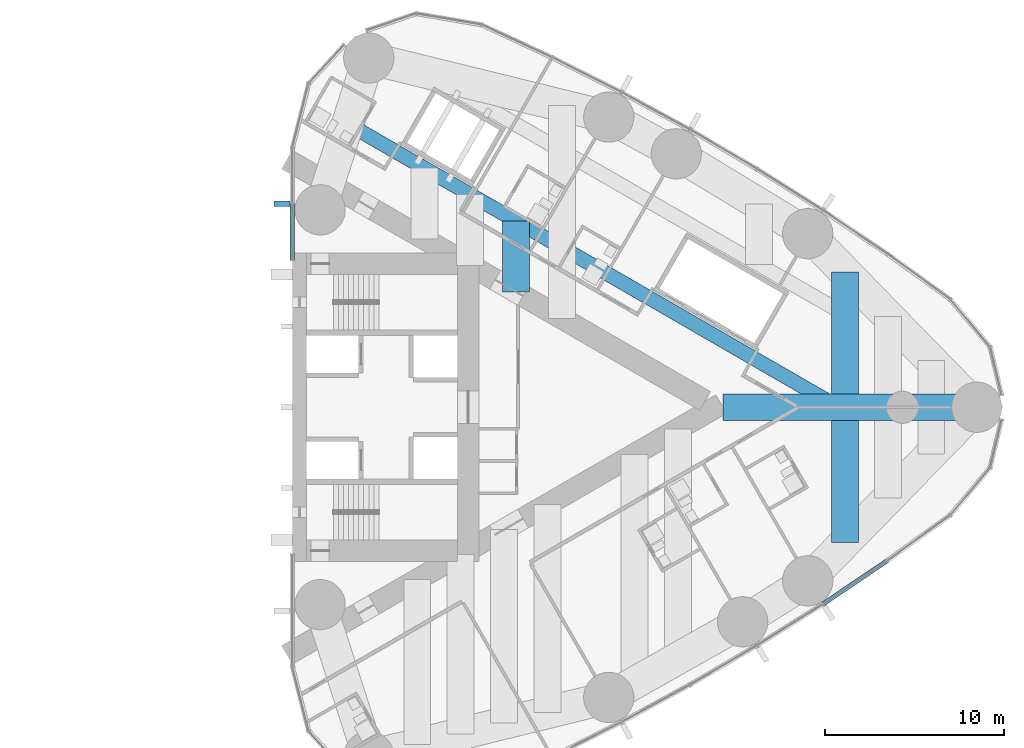
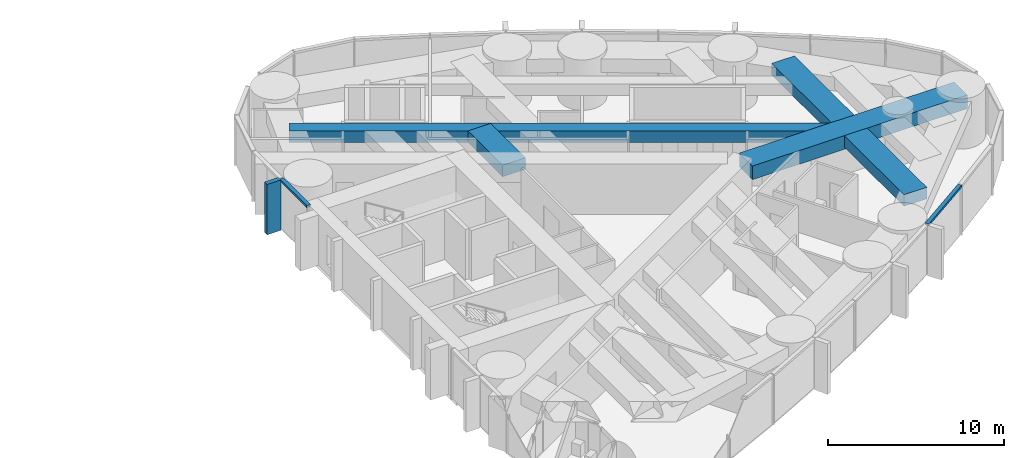
# One storey, part 7 of 19: 5 beams, 3 members, 2 elements without a shape of their own.
"""IFC4 building model written with IfcOpenShell, lengths in metres."""

from ifc_helpers import new_model, si_unit, direction, frame, origin, origin_2d, place, context, subcontext, project, spatial, rectangle, hollow_rectangle, extrude, material, material_profile, profile_set, type_object, element, aggregate, save


model = new_model("IFC4")

# Units and contexts
model_context = context("Model", 3, precision=1e-05, world=origin(), true_north=direction((0.0, 1.0)))
body_context = subcontext(model_context, "Body", "Model", "MODEL_VIEW")
ifc_project = project(units=[si_unit("LENGTHUNIT", "METRE"), si_unit("AREAUNIT", "SQUARE_METRE"), si_unit("VOLUMEUNIT", "CUBIC_METRE"), si_unit("PLANEANGLEUNIT", "RADIAN"), si_unit("MASSUNIT", "GRAM", prefix="KILO")], contexts=[model_context])

# Site, building, storey
site_placement = place(None, origin())
site = spatial("IfcSite", under=ifc_project, at=site_placement, CompositionType="ELEMENT")
building_placement = place(site_placement, origin())
building = spatial("IfcBuilding", under=site, at=building_placement, Name="Lancet Gate Hotel", CompositionType="ELEMENT")
storey_placement = place(building_placement, frame((0.0, 0.0, 159.800048828125)))
storey = spatial("IfcBuildingStorey", under=building, at=storey_placement, Name="L42", CompositionType="ELEMENT", Elevation=159.800048828125)

# Curtain wall, member
ifc_material_1 = material(Name="Aluminium curtain wall", Category="aluminium")
curtain_wall_type = type_object("IfcCurtainWallType", Name="Tower unitised curtain wall", PredefinedType="USERDEFINED", material=ifc_material_1)
curtain_wall_1_placement = place(storey_placement, origin())
curtain_wall_1 = element("IfcCurtainWall", 1, at=curtain_wall_1_placement, inside=storey, type_object=curtain_wall_type, Name="T2 L42 curtain wall 2", ObjectType="UNITISED CURTAIN WALL", PredefinedType="USERDEFINED")
ifc_material_2 = material(Name="Aluminium transom", Category="aluminium")
ifc_material_profile_1 = material_profile(ifc_material_2, rectangle(XDim=0.25, YDim=0.14990234375, at=origin_2d()), Name="TRANSOM 250x150")
ifc_profile_set_1 = profile_set([ifc_material_profile_1], Name="Aluminium transom")
member_type_1 = type_object("IfcMemberType", Name="Aluminium transom 250x150", PredefinedType="USERDEFINED", material=ifc_profile_set_1)
member_1_placement = place(storey_placement, frame((57.093994140625, -10.952880859375, 3.425048828125), z_axis=(0.829046850689, 0.559179147826, 0.0), x_axis=(-0.559179147826, 0.829046850689, 0.0)))
member_1 = element("IfcMember", 2, at=member_1_placement, type_object=member_type_1, Name="T2 L42 curtain wall 2 transom 8", ObjectType="TRANSOM", PredefinedType="USERDEFINED", context=body_context, shape_type="SweptSolid", body=[
    extrude(rectangle(XDim=0.25, YDim=0.14990234375, at=origin_2d()), origin(), (0.0, 0.0, 1.0), 4.26904296875),
])
aggregate(curtain_wall_1, [member_1])

# Curtain wall, members
curtain_wall_2_placement = place(storey_placement, origin())
curtain_wall_2 = element("IfcCurtainWall", 3, at=curtain_wall_2_placement, inside=storey, type_object=curtain_wall_type, Name="T2 L42 curtain wall 4", ObjectType="UNITISED CURTAIN WALL", PredefinedType="USERDEFINED")
member_2_placement = place(storey_placement, frame((27.5, 11.30029296875, 3.425048828125), z_axis=(0.0, -1.0, 0.0), x_axis=(1.0, 0.0, 0.0)))
member_2 = element("IfcMember", 4, at=member_2_placement, type_object=member_type_1, Name="T2 L42 curtain wall 4 transom 4", ObjectType="TRANSOM", PredefinedType="USERDEFINED", context=body_context, shape_type="SweptSolid", body=[
    extrude(rectangle(XDim=0.25, YDim=0.14990234375, at=origin_2d()), origin(), (0.0, 0.0, 1.0), 3.06787109375),
])
ifc_material_3 = material(Name="Precast concrete C50/60", Category="concrete")
ifc_material_profile_2 = material_profile(ifc_material_3, rectangle(XDim=0.300048828125, YDim=0.89990234375, at=origin_2d()), Name="FIN 300x900")
ifc_profile_set_2 = profile_set([ifc_material_profile_2], Name="Precast concrete C50/60")
member_type_2 = type_object("IfcMemberType", Name="Exposed concrete fin 300x900", PredefinedType="USERDEFINED", material=ifc_profile_set_2)
member_3_placement = place(storey_placement, frame((26.925048828125, 11.332763671875, 0.0), z_axis=(0.0, 0.0, 1.0), x_axis=(0.0, -1.0, 0.0)))
member_3 = element("IfcMember", 5, at=member_3_placement, type_object=member_type_2, Name="T2 L42 curtain wall 4 fin 4", ObjectType="FIN", PredefinedType="USERDEFINED", context=body_context, shape_type="SweptSolid", body=[
    extrude(rectangle(XDim=0.300048828125, YDim=0.89990234375, at=origin_2d()), origin(), (0.0, 0.0, 1.0), 3.5),
])
aggregate(curtain_wall_2, [member_3, member_2])

# Beams
ifc_material_4 = material(Name="Concrete C50/60", Category="concrete")
ifc_material_profile_3 = material_profile(ifc_material_4, rectangle(XDim=1.5, YDim=0.800048828125, at=origin_2d()), Name="RC 1500x800")
ifc_profile_set_3 = profile_set([ifc_material_profile_3], Name="Concrete C50/60")
beam_type_1 = type_object("IfcBeamType", Name="Floor beam RC 1500x800", PredefinedType="BEAM", material=ifc_profile_set_3)
for number, where, z_axis, x_axis, name in (
    (6, (58.30224609375, -7.534912109375, 2.849853515625), (0.0, 1.0, 0.0), (-1.0, 0.0, 0.0), "T2 floor beam F12S L42"),
    (7, (58.30224609375, 0.75, 2.849853515625), (0.0, 1.0, 0.0), (-1.0, 0.0, 0.0), "T2 floor beam F13N L42"),
):
    element("IfcBeam", number, at=place(storey_placement, frame(where, z_axis=z_axis, x_axis=x_axis)), inside=storey, type_object=beam_type_1, Name=name, PredefinedType="BEAM", context=body_context, shape_type="SweptSolid", body=[
        extrude(rectangle(XDim=1.5, YDim=0.800048828125, at=origin_2d()), origin(), (0.0, 0.0, 1.0), 6.784912109375),
    ])
beam_1_placement = place(storey_placement, frame((39.9658203125, 6.429443359375, 2.849853515625), z_axis=(0.0, 1.0, 0.0), x_axis=(-1.0, 0.0, 0.0)))
element("IfcBeam", 8, at=beam_1_placement, inside=storey, type_object=beam_type_1, Name="T2 floor beam F06NA L42", PredefinedType="BEAM", context=body_context, shape_type="SweptSolid", body=[
    extrude(rectangle(XDim=1.5, YDim=0.800048828125, at=origin_2d()), origin(), (0.0, 0.0, 1.0), 3.9453125),
])
ifc_material_5 = material(Name="Concrete C50/60", Category="concrete")
ifc_material_profile_4 = material_profile(ifc_material_5, rectangle(XDim=1.5, YDim=0.949951171875, at=origin_2d()), Name="RC 1500x950")
ifc_profile_set_4 = profile_set([ifc_material_profile_4], Name="Concrete C50/60")
beam_type_2 = type_object("IfcBeamType", Name="Radial floor beam RC 1500x950", PredefinedType="BEAM", material=ifc_profile_set_4)
beam_2_placement = place(storey_placement, frame((65.6396484375, 0.0, 2.77490234375), z_axis=(-1.0, 0.0, 0.0), x_axis=(0.0, -1.0, 0.0)))
element("IfcBeam", 9, at=beam_2_placement, inside=storey, type_object=beam_type_2, Name="T2 radial beam CA L42", PredefinedType="BEAM", context=body_context, shape_type="SweptSolid", body=[
    extrude(rectangle(XDim=1.5, YDim=0.949951171875, at=origin_2d()), origin(), (0.0, 0.0, 1.0), 14.137451171875),
])
ifc_material_6 = material(Name="Steel S460QL", Category="steel")
ifc_material_profile_5 = material_profile(ifc_material_6, hollow_rectangle(XDim=0.800048828125, YDim=0.800048828125, WallThickness=0.080078125, at=origin_2d()), Name="BOX 800x800x80")
ifc_profile_set_5 = profile_set([ifc_material_profile_5], Name="Steel S460QL")
beam_type_3 = type_object("IfcBeamType", Name="Trimmer beam BOX 800x800x80", PredefinedType="BEAM", material=ifc_profile_set_5)
beam_3_placement = place(storey_placement, frame((30.585693359375, 15.79248046875, 2.849853515625), z_axis=(0.865995565543, -0.50005167779, 0.0), x_axis=(0.50005167779, 0.865995565543, 0.0)))
element("IfcBeam", 10, at=beam_3_placement, inside=storey, type_object=beam_type_3, Name="T2 trimmer beam TR01N L42", PredefinedType="BEAM", context=body_context, shape_type="SweptSolid", body=[
    extrude(hollow_rectangle(XDim=0.800048828125, YDim=0.800048828125, WallThickness=0.080078125, at=origin_2d()), origin(), (0.0, 0.0, 1.0), 31.581787109375),
])

save(model, "model.ifc")
